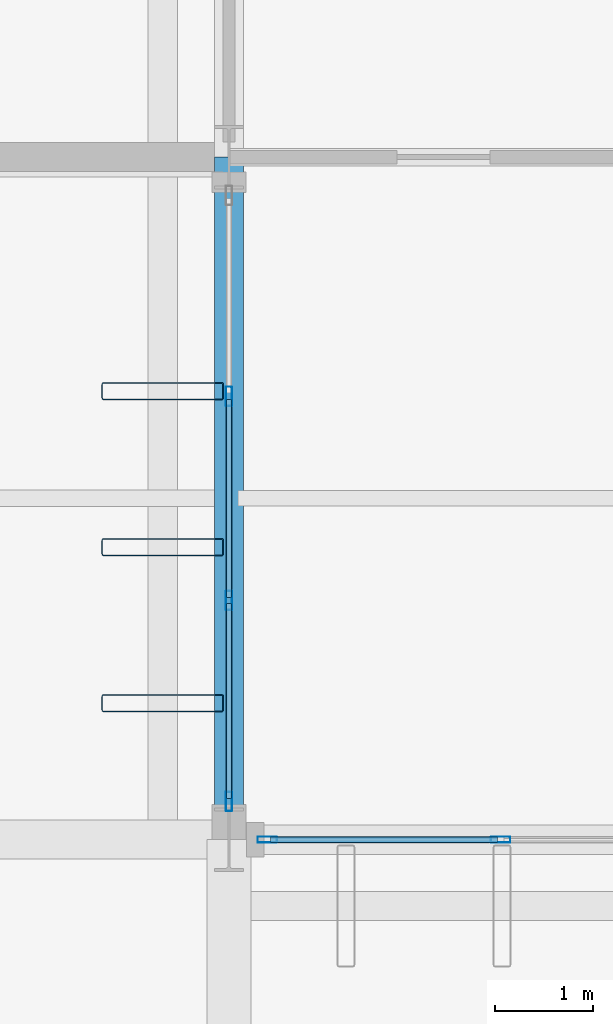
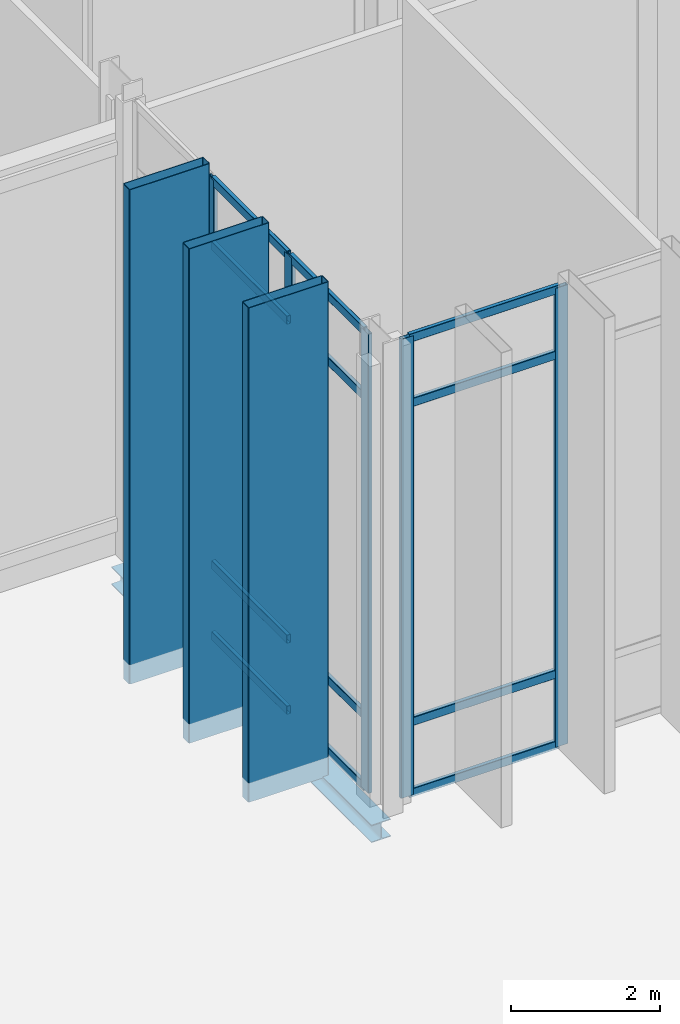
# One storey, part 39 of 176: 20 members, 1 beam, 2 elements without a shape of their own.
"""IFC4 building model written with IfcOpenShell, lengths in metres."""

from ifc_helpers import new_model, si_unit, direction, frame, origin, origin_2d, place, context, subcontext, project, spatial, hollow_rectangle, i_section, extrude, material, layer, layer_set, material_profile, profile_set, type_object, element, aggregate, save


model = new_model("IFC4")

# Units and contexts
model_context = context("Model", 3, precision=1e-05, world=origin(), true_north=direction((0.0, 1.0)))
body_context = subcontext(model_context, "Body", "Model", "MODEL_VIEW")
ifc_project = project(units=[si_unit("LENGTHUNIT", "METRE"), si_unit("AREAUNIT", "SQUARE_METRE"), si_unit("VOLUMEUNIT", "CUBIC_METRE"), si_unit("PLANEANGLEUNIT", "RADIAN"), si_unit("MASSUNIT", "GRAM", prefix="KILO")], contexts=[model_context])

# Site, building, storey
site_placement = place(None, origin())
site = spatial("IfcSite", under=ifc_project, at=site_placement, CompositionType="ELEMENT")
building_placement = place(site_placement, origin())
building = spatial("IfcBuilding", under=site, at=building_placement, Name="Vekula Escarpment Museum", CompositionType="ELEMENT")
storey_placement = place(building_placement, origin())
storey = spatial("IfcBuildingStorey", under=building, at=storey_placement, Name="L01", CompositionType="ELEMENT", Elevation=0.0)

# Beam
ifc_material_1 = material(Name="Steel S355", Category="steel")
ifc_material_profile_1 = material_profile(ifc_material_1, i_section(OverallWidth=0.300048828125, OverallDepth=0.2900390625, WebThickness=0.008544921875, FlangeThickness=0.013916015625, FilletRadius=0.027099609375, at=origin_2d()), Name="HEA 300")
ifc_profile_set_1 = profile_set([ifc_material_profile_1], Name="Steel S355")
beam_type = type_object("IfcBeamType", Name="BM-SPAN-HEA300", PredefinedType="SPANDREL", material=ifc_profile_set_1)
beam_placement = place(storey_placement, frame((70.0, 45.60009765625, -0.445068359375), z_axis=(0.0, 1.0, 0.0), x_axis=(-1.0, 0.0, 0.0)))
element("IfcBeam", 1, at=beam_placement, inside=storey, type_object=beam_type, Name="Beam Y L01 0540", PredefinedType="SPANDREL", context=body_context, shape_type="SweptSolid", body=[
    extrude(i_section(OverallWidth=0.300048828125, OverallDepth=0.2900390625, WebThickness=0.008544921875, FlangeThickness=0.013916015625, FilletRadius=0.027099609375, at=origin_2d()), origin(), (0.0, 0.0, 1.0), 7.0),
])

# Curtain wall, members
ifc_material_2 = material(Name="Aluminium thermally broken framing", Category="aluminium")
ifc_layer_1 = layer(ifc_material_2, 0.199951171875)
ifc_layer_set_1 = layer_set([ifc_layer_1], Name="Aluminium thermally broken framing")
curtain_wall_type_1 = type_object("IfcCurtainWallType", Name="CW-SYS-03", PredefinedType="NOTDEFINED", material=ifc_layer_set_1)
curtain_wall_1_placement = place(storey_placement, origin())
curtain_wall_1 = element("IfcCurtainWall", 2, at=curtain_wall_1_placement, inside=storey, type_object=curtain_wall_type_1, Name="Curtain Wall CW-L01-043", PredefinedType="NOTDEFINED")
ifc_material_3 = material(Name="Aluminium anodized mullion", Category="aluminium")
ifc_material_profile_2 = material_profile(ifc_material_3, hollow_rectangle(XDim=0.06494140625, YDim=0.199951171875, WallThickness=0.00390625, InnerFilletRadius=0.00390625, OuterFilletRadius=0.008056640625, at=origin_2d()), Name="ALU 200x65x4")
ifc_profile_set_2 = profile_set([ifc_material_profile_2], Name="Aluminium anodized mullion")
member_type_1 = type_object("IfcMemberType", Name="CW-MUL-200", PredefinedType="MULLION", material=ifc_profile_set_2)
member_1_placement = place(storey_placement, frame((70.0, 50.146728515625, 0.0), z_axis=(0.0, 0.0, 1.0), x_axis=(1.0, 0.0, 0.0)))
member_1 = element("IfcMember", 3, at=member_1_placement, type_object=member_type_1, Name="CW-03 mullion 2", PredefinedType="MULLION", context=body_context, shape_type="SweptSolid", body=[
    extrude(hollow_rectangle(XDim=0.06494140625, YDim=0.199951171875, WallThickness=0.00390625, InnerFilletRadius=0.00390625, OuterFilletRadius=0.008056640625, at=origin_2d()), origin(), (0.0, 0.0, 1.0), 7.5400390625),
])
member_2_placement = place(storey_placement, frame((70.0, 48.05322265625, 0.0), z_axis=(0.0, 0.0, 1.0), x_axis=(1.0, 0.0, 0.0)))
member_2 = element("IfcMember", 4, at=member_2_placement, type_object=member_type_1, Name="CW-03 mullion 3", PredefinedType="MULLION", context=body_context, shape_type="SweptSolid", body=[
    extrude(hollow_rectangle(XDim=0.06494140625, YDim=0.199951171875, WallThickness=0.00390625, InnerFilletRadius=0.00390625, OuterFilletRadius=0.008056640625, at=origin_2d()), origin(), (0.0, 0.0, 1.0), 7.5400390625),
])
member_3_placement = place(storey_placement, frame((70.0, 45.992431640625, 0.0), z_axis=(0.0, 0.0, 1.0), x_axis=(1.0, 0.0, 0.0)))
member_3 = element("IfcMember", 5, at=member_3_placement, type_object=member_type_1, Name="CW-03 mullion 4", PredefinedType="MULLION", context=body_context, shape_type="SweptSolid", body=[
    extrude(hollow_rectangle(XDim=0.06494140625, YDim=0.199951171875, WallThickness=0.00390625, InnerFilletRadius=0.00390625, OuterFilletRadius=0.008056640625, at=origin_2d()), origin(), (0.0, 0.0, 1.0), 7.5400390625),
])

ifc_material_4 = material(Name="Aluminium thermally broken framing", Category="aluminium")
ifc_layer_2 = layer(ifc_material_4, 0.199951171875)
ifc_layer_set_2 = layer_set([ifc_layer_2], Name="Aluminium thermally broken framing")
curtain_wall_type_2 = type_object("IfcCurtainWallType", Name="CW-SYS-04", PredefinedType="NOTDEFINED", material=ifc_layer_set_2)
curtain_wall_2_placement = place(storey_placement, origin())
curtain_wall_2 = element("IfcCurtainWall", 6, at=curtain_wall_2_placement, inside=storey, type_object=curtain_wall_type_2, Name="Curtain Wall CW-L01-044", PredefinedType="NOTDEFINED")
member_4_placement = place(storey_placement, frame((70.392578125, 45.60009765625, 0.0), z_axis=(0.0, 0.0, 1.0), x_axis=(0.0, 1.0, 0.0)))
member_4 = element("IfcMember", 7, at=member_4_placement, type_object=member_type_1, Name="CW-04 mullion 1", PredefinedType="MULLION", context=body_context, shape_type="SweptSolid", body=[
    extrude(hollow_rectangle(XDim=0.06494140625, YDim=0.199951171875, WallThickness=0.00390625, InnerFilletRadius=0.00390625, OuterFilletRadius=0.008056640625, at=origin_2d()), origin(), (0.0, 0.0, 1.0), 7.5400390625),
])
member_5_placement = place(storey_placement, frame((72.78662109375, 45.60009765625, 0.0), z_axis=(0.0, 0.0, 1.0), x_axis=(0.0, 1.0, 0.0)))
member_5 = element("IfcMember", 8, at=member_5_placement, type_object=member_type_1, Name="CW-04 mullion 2", PredefinedType="MULLION", context=body_context, shape_type="SweptSolid", body=[
    extrude(hollow_rectangle(XDim=0.06494140625, YDim=0.199951171875, WallThickness=0.00390625, InnerFilletRadius=0.00390625, OuterFilletRadius=0.008056640625, at=origin_2d()), origin(), (0.0, 0.0, 1.0), 7.5400390625),
])

# Member
ifc_material_5 = material(Name="Aluminium anodized transom", Category="aluminium")
ifc_material_profile_3 = material_profile(ifc_material_5, hollow_rectangle(XDim=0.06494140625, YDim=0.139892578125, WallThickness=0.00390625, InnerFilletRadius=0.00390625, OuterFilletRadius=0.008056640625, at=origin_2d()), Name="ALU 140x65x4")
ifc_profile_set_3 = profile_set([ifc_material_profile_3], Name="Aluminium anodized transom")
member_type_2 = type_object("IfcMemberType", Name="CW-TRN-140", PredefinedType="USERDEFINED", material=ifc_profile_set_3)
member_6_placement = place(storey_placement, frame((70.0, 50.1142578125, 0.032470703125), z_axis=(0.0, -1.0, 0.0), x_axis=(1.0, 0.0, 0.0)))
member_6 = element("IfcMember", 9, at=member_6_placement, type_object=member_type_2, Name="CW-03 transom 2.1", ObjectType="TRANSOM", PredefinedType="USERDEFINED", context=body_context, shape_type="SweptSolid", body=[
    extrude(hollow_rectangle(XDim=0.06494140625, YDim=0.139892578125, WallThickness=0.00390625, InnerFilletRadius=0.00390625, OuterFilletRadius=0.008056640625, at=origin_2d()), origin(), (0.0, 0.0, 1.0), 2.0283203125),
])

member_7_placement = place(storey_placement, frame((70.0, 50.1142578125, 1.199951171875), z_axis=(0.0, -1.0, 0.0), x_axis=(1.0, 0.0, 0.0)))
member_7 = element("IfcMember", 10, at=member_7_placement, type_object=member_type_2, Name="CW-03 transom 2.2", ObjectType="TRANSOM", PredefinedType="USERDEFINED", context=body_context, shape_type="SweptSolid", body=[
    extrude(hollow_rectangle(XDim=0.06494140625, YDim=0.139892578125, WallThickness=0.00390625, InnerFilletRadius=0.00390625, OuterFilletRadius=0.008056640625, at=origin_2d()), origin(), (0.0, 0.0, 1.0), 2.0283203125),
])

member_8_placement = place(storey_placement, frame((70.0, 50.1142578125, 6.43994140625), z_axis=(0.0, -1.0, 0.0), x_axis=(1.0, 0.0, 0.0)))
member_8 = element("IfcMember", 11, at=member_8_placement, type_object=member_type_2, Name="CW-03 transom 2.3", ObjectType="TRANSOM", PredefinedType="USERDEFINED", context=body_context, shape_type="SweptSolid", body=[
    extrude(hollow_rectangle(XDim=0.06494140625, YDim=0.139892578125, WallThickness=0.00390625, InnerFilletRadius=0.00390625, OuterFilletRadius=0.008056640625, at=origin_2d()), origin(), (0.0, 0.0, 1.0), 2.0283203125),
])

member_9_placement = place(storey_placement, frame((70.0, 50.1142578125, 7.507568359375), z_axis=(0.0, -1.0, 0.0), x_axis=(1.0, 0.0, 0.0)))
member_9 = element("IfcMember", 12, at=member_9_placement, type_object=member_type_2, Name="CW-03 transom 2.4", ObjectType="TRANSOM", PredefinedType="USERDEFINED", context=body_context, shape_type="SweptSolid", body=[
    extrude(hollow_rectangle(XDim=0.06494140625, YDim=0.139892578125, WallThickness=0.00390625, InnerFilletRadius=0.00390625, OuterFilletRadius=0.008056640625, at=origin_2d()), origin(), (0.0, 0.0, 1.0), 2.0283203125),
])

member_10_placement = place(storey_placement, frame((70.0, 48.020751953125, 0.032470703125), z_axis=(0.0, -1.0, 0.0), x_axis=(1.0, 0.0, 0.0)))
member_10 = element("IfcMember", 13, at=member_10_placement, type_object=member_type_2, Name="CW-03 transom 3.1", ObjectType="TRANSOM", PredefinedType="USERDEFINED", context=body_context, shape_type="SweptSolid", body=[
    extrude(hollow_rectangle(XDim=0.06494140625, YDim=0.139892578125, WallThickness=0.00390625, InnerFilletRadius=0.00390625, OuterFilletRadius=0.008056640625, at=origin_2d()), origin(), (0.0, 0.0, 1.0), 1.995849609375),
])

member_11_placement = place(storey_placement, frame((70.0, 48.020751953125, 1.199951171875), z_axis=(0.0, -1.0, 0.0), x_axis=(1.0, 0.0, 0.0)))
member_11 = element("IfcMember", 14, at=member_11_placement, type_object=member_type_2, Name="CW-03 transom 3.2", ObjectType="TRANSOM", PredefinedType="USERDEFINED", context=body_context, shape_type="SweptSolid", body=[
    extrude(hollow_rectangle(XDim=0.06494140625, YDim=0.139892578125, WallThickness=0.00390625, InnerFilletRadius=0.00390625, OuterFilletRadius=0.008056640625, at=origin_2d()), origin(), (0.0, 0.0, 1.0), 1.995849609375),
])

member_12_placement = place(storey_placement, frame((70.0, 48.020751953125, 6.43994140625), z_axis=(0.0, -1.0, 0.0), x_axis=(1.0, 0.0, 0.0)))
member_12 = element("IfcMember", 15, at=member_12_placement, type_object=member_type_2, Name="CW-03 transom 3.3", ObjectType="TRANSOM", PredefinedType="USERDEFINED", context=body_context, shape_type="SweptSolid", body=[
    extrude(hollow_rectangle(XDim=0.06494140625, YDim=0.139892578125, WallThickness=0.00390625, InnerFilletRadius=0.00390625, OuterFilletRadius=0.008056640625, at=origin_2d()), origin(), (0.0, 0.0, 1.0), 1.995849609375),
])

member_13_placement = place(storey_placement, frame((70.0, 48.020751953125, 7.507568359375), z_axis=(0.0, -1.0, 0.0), x_axis=(1.0, 0.0, 0.0)))
member_13 = element("IfcMember", 16, at=member_13_placement, type_object=member_type_2, Name="CW-03 transom 3.4", ObjectType="TRANSOM", PredefinedType="USERDEFINED", context=body_context, shape_type="SweptSolid", body=[
    extrude(hollow_rectangle(XDim=0.06494140625, YDim=0.139892578125, WallThickness=0.00390625, InnerFilletRadius=0.00390625, OuterFilletRadius=0.008056640625, at=origin_2d()), origin(), (0.0, 0.0, 1.0), 1.995849609375),
])

aggregate(curtain_wall_1, [member_1, member_2, member_3, member_6, member_7, member_8, member_9, member_10, member_11, member_12, member_13])

member_14_placement = place(storey_placement, frame((70.425048828125, 45.60009765625, 0.032470703125), z_axis=(1.0, 0.0, 0.0), x_axis=(0.0, 1.0, 0.0)))
member_14 = element("IfcMember", 17, at=member_14_placement, type_object=member_type_2, Name="CW-04 transom 1.1", ObjectType="TRANSOM", PredefinedType="USERDEFINED", context=body_context, shape_type="SweptSolid", body=[
    extrude(hollow_rectangle(XDim=0.06494140625, YDim=0.139892578125, WallThickness=0.00390625, InnerFilletRadius=0.00390625, OuterFilletRadius=0.008056640625, at=origin_2d()), origin(), (0.0, 0.0, 1.0), 2.3291015625),
])

member_15_placement = place(storey_placement, frame((70.425048828125, 45.60009765625, 1.199951171875), z_axis=(1.0, 0.0, 0.0), x_axis=(0.0, 1.0, 0.0)))
member_15 = element("IfcMember", 18, at=member_15_placement, type_object=member_type_2, Name="CW-04 transom 1.2", ObjectType="TRANSOM", PredefinedType="USERDEFINED", context=body_context, shape_type="SweptSolid", body=[
    extrude(hollow_rectangle(XDim=0.06494140625, YDim=0.139892578125, WallThickness=0.00390625, InnerFilletRadius=0.00390625, OuterFilletRadius=0.008056640625, at=origin_2d()), origin(), (0.0, 0.0, 1.0), 2.3291015625),
])

member_16_placement = place(storey_placement, frame((70.425048828125, 45.60009765625, 6.43994140625), z_axis=(1.0, 0.0, 0.0), x_axis=(0.0, 1.0, 0.0)))
member_16 = element("IfcMember", 19, at=member_16_placement, type_object=member_type_2, Name="CW-04 transom 1.3", ObjectType="TRANSOM", PredefinedType="USERDEFINED", context=body_context, shape_type="SweptSolid", body=[
    extrude(hollow_rectangle(XDim=0.06494140625, YDim=0.139892578125, WallThickness=0.00390625, InnerFilletRadius=0.00390625, OuterFilletRadius=0.008056640625, at=origin_2d()), origin(), (0.0, 0.0, 1.0), 2.3291015625),
])

member_17_placement = place(storey_placement, frame((70.425048828125, 45.60009765625, 7.507568359375), z_axis=(1.0, 0.0, 0.0), x_axis=(0.0, 1.0, 0.0)))
member_17 = element("IfcMember", 20, at=member_17_placement, type_object=member_type_2, Name="CW-04 transom 1.4", ObjectType="TRANSOM", PredefinedType="USERDEFINED", context=body_context, shape_type="SweptSolid", body=[
    extrude(hollow_rectangle(XDim=0.06494140625, YDim=0.139892578125, WallThickness=0.00390625, InnerFilletRadius=0.00390625, OuterFilletRadius=0.008056640625, at=origin_2d()), origin(), (0.0, 0.0, 1.0), 2.3291015625),
])

aggregate(curtain_wall_2, [member_4, member_5, member_14, member_15, member_16, member_17])

# Members
ifc_material_6 = material(Name="Steel S355 weathered bronze solar fin", Category="steel")
ifc_material_profile_4 = material_profile(ifc_material_6, hollow_rectangle(XDim=0.179931640625, YDim=1.25, WallThickness=0.010009765625, InnerFilletRadius=0.010009765625, OuterFilletRadius=0.02001953125, at=origin_2d()), Name="RHS 1250x180x10")
ifc_profile_set_4 = profile_set([ifc_material_profile_4], Name="Steel S355 weathered bronze solar fin")
member_type_3 = type_object("IfcMemberType", Name="MB-SOLAR-FIN", PredefinedType="USERDEFINED", material=ifc_profile_set_4)
for number, where, z_axis, x_axis, name in (
    (21, (69.320068359375, 47.0, -0.320068359375), (0.0, 0.0, 1.0), (0.0, 1.0, 0.0), "Great Hall Vertical Solar Fin 0281"),
    (22, (69.320068359375, 48.60009765625, -0.320068359375), (0.0, 0.0, 1.0), (0.0, 1.0, 0.0), "Great Hall Vertical Solar Fin 0286"),
    (23, (69.320068359375, 50.199951171875, -0.320068359375), (0.0, 0.0, 1.0), (0.0, 1.0, 0.0), "Great Hall Vertical Solar Fin 0291"),
):
    element("IfcMember", number, at=place(storey_placement, frame(where, z_axis=z_axis, x_axis=x_axis)), inside=storey, type_object=member_type_3, Name=name, ObjectType="SOLAR FIN", PredefinedType="USERDEFINED", context=body_context, shape_type="SweptSolid", body=[
        extrude(hollow_rectangle(XDim=0.179931640625, YDim=1.25, WallThickness=0.010009765625, InnerFilletRadius=0.010009765625, OuterFilletRadius=0.02001953125, at=origin_2d()), origin(), (0.0, 0.0, 1.0), 8.1201171875),
    ])

save(model, "model.ifc")
